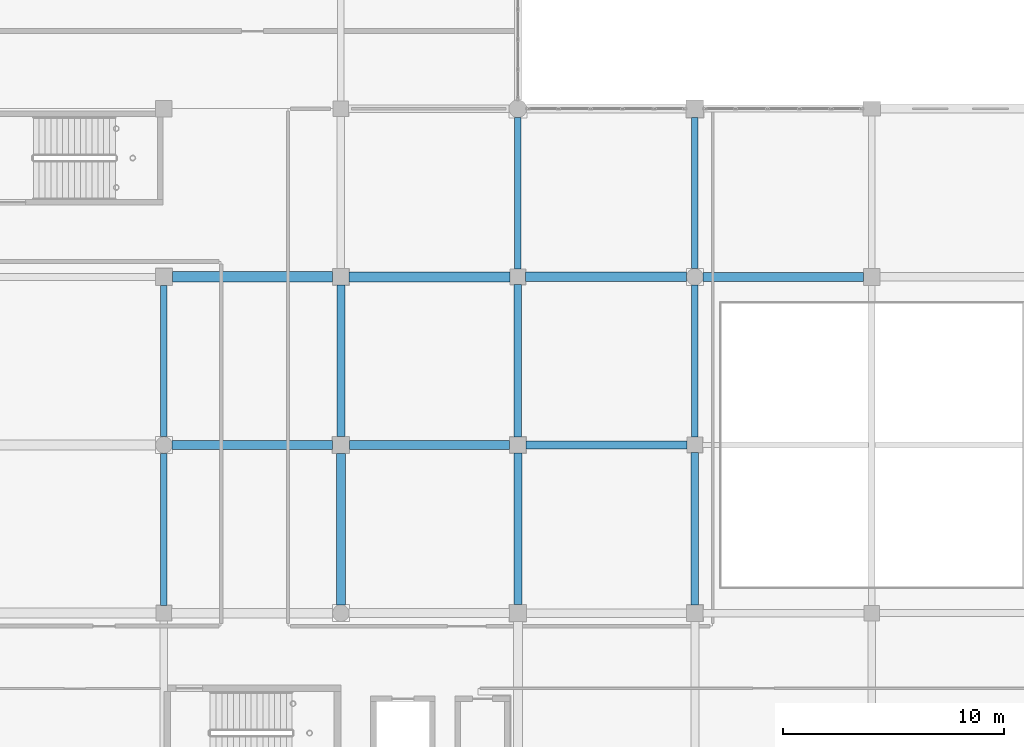
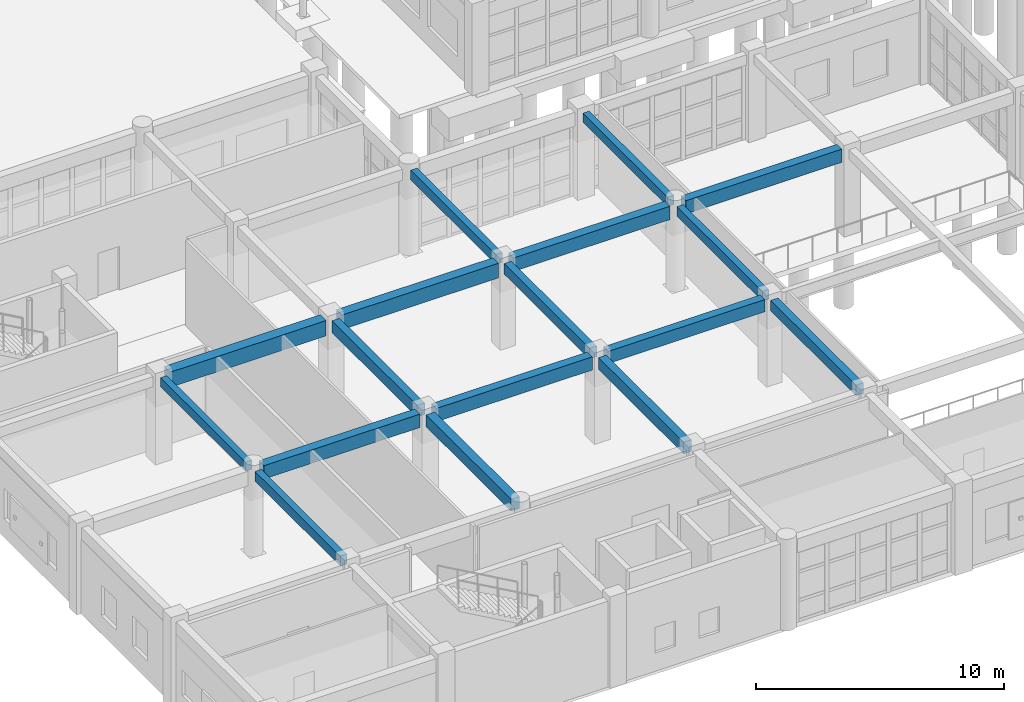
# One storey, part 79 of 166: 17 beams.
"""IFC4 building model written with IfcOpenShell, lengths in metres."""

import ifcopenshell
import ifcopenshell.guid

model = None  # the IFC model being written
_history = None  # IfcOwnerHistory: only IFC2X3 demands one
_inside = {}  # id of a spatial element -> (the spatial element, [elements in it])
_under = {}  # id of a project, library or spatial element -> (it, [spatial elements below it])
_declared = {}  # id of a project -> (the project, [libraries it declares])
_typed = {}  # id of a type object -> (the type object, [elements of that type])
_made_of = {}  # id of a material, layer set ... -> (it, [elements and type objects made of it])


def new_model(schema):
    """Start an empty IFC model of exactly this schema.

    Asked for "IFC4X3", IfcOpenShell would pick the latest addendum, in which some entities
    have other attributes; the version numbers below select the first issue.
    IFC2X3 requires an IfcOwnerHistory on every rooted entity: one is made here for all.
    """
    global model, _history
    if schema == "IFC4X3":
        model = ifcopenshell.file(schema_version=(4, 3, 0, 0))
    else:
        model = ifcopenshell.file(schema=schema)
    _inside.clear()
    _under.clear()
    _declared.clear()
    _typed.clear()
    _made_of.clear()
    _history = None
    if model.schema == "IFC2X3":
        org = make("IfcOrganization", Name="unknown")
        user = make(
            "IfcPersonAndOrganization",
            ThePerson=make("IfcPerson", FamilyName="unknown"),
            TheOrganization=org,
        )
        app = make(
            "IfcApplication",
            ApplicationDeveloper=org,
            Version="unknown",
            ApplicationFullName="unknown",
            ApplicationIdentifier="unknown",
        )
        _history = make(
            "IfcOwnerHistory",
            OwningUser=user,
            OwningApplication=app,
            ChangeAction="ADDED",
            CreationDate=0,
        )
    return model


def make(cls, **values):
    """One entity of the class cls with the attributes given. An attribute that is None is left unset."""
    return model.create_entity(
        cls, **{name: value for name, value in values.items() if value is not None}
    )


def rooted(cls, **values):
    """An entity with a GlobalId (a new one), such as an element, a storey or a relation."""
    return make(cls, GlobalId=ifcopenshell.guid.new(), OwnerHistory=_history, **values)


def si_unit(unit_type, name, prefix=None):
    """IfcSIUnit, for example si_unit("LENGTHUNIT", "METRE", prefix="MILLI")."""
    return make("IfcSIUnit", UnitType=unit_type, Prefix=prefix, Name=name)


def assignment(units):
    """IfcUnitAssignment: the units of a project."""
    return None if units is None else make("IfcUnitAssignment", Units=units)


def point(xyz):
    """IfcCartesianPoint."""
    return None if xyz is None else make("IfcCartesianPoint", Coordinates=xyz)


def direction(xyz):
    """IfcDirection."""
    return None if xyz is None else make("IfcDirection", DirectionRatios=xyz)


def frame(location, z_axis=None, x_axis=None):
    """IfcAxis2Placement3D, a coordinate frame: its origin and axes. An axis left out is left unset."""
    return make(
        "IfcAxis2Placement3D",
        Location=point(location),
        Axis=direction(z_axis),
        RefDirection=direction(x_axis),
    )


def frame_2d(location, x_axis=None):
    """IfcAxis2Placement2D, a coordinate frame in the plane: its origin and x axis."""
    return make(
        "IfcAxis2Placement2D", Location=point(location), RefDirection=direction(x_axis)
    )


def origin():
    """The frame at (0, 0, 0) with its axes left unset."""
    return frame((0.0, 0.0, 0.0))


def origin_2d():
    """The frame at (0, 0) in the plane with its x axis left unset."""
    return frame_2d((0.0, 0.0))


def place(relative_to, where):
    """IfcLocalPlacement: puts the frame where relative to a parent placement (None: the world)."""
    return make(
        "IfcLocalPlacement", PlacementRelTo=relative_to, RelativePlacement=where
    )


def context(
    kind, dimensions, precision=None, world=None, true_north=None, identifier=None
):
    """IfcGeometricRepresentationContext, for example the 3D "Model" context."""
    return make(
        "IfcGeometricRepresentationContext",
        ContextIdentifier=identifier,
        ContextType=kind,
        CoordinateSpaceDimension=dimensions,
        Precision=precision,
        WorldCoordinateSystem=world,
        TrueNorth=true_north,
    )


def subcontext(parent, identifier, kind, view, scale=None):
    """IfcGeometricRepresentationSubContext, for example "Body" below "Model"."""
    return make(
        "IfcGeometricRepresentationSubContext",
        ContextIdentifier=identifier,
        ContextType=kind,
        ParentContext=parent,
        TargetScale=scale,
        TargetView=view,
    )


def project(units=None, contexts=None):
    """IfcProject with its units and contexts."""
    return rooted(
        "IfcProject",
        Name="project",
        RepresentationContexts=contexts,
        UnitsInContext=assignment(units),
    )


def spatial(cls, under=None, at=None, **own):
    """A site, building, storey or space (cls), placed at a placement, below another one or the project."""
    s = rooted(cls, ObjectPlacement=at, **own)
    if under is not None:
        _under.setdefault(under.id(), (under, []))[1].append(s)
    return s


def profile(cls, at=None, kind="AREA", **sizes):
    """A parametric profile (cls). Its sizes go by their IFC names, for example OverallWidth=200.0."""
    return make(cls, ProfileType=kind, Position=at, **sizes)


def rectangle(**sizes):
    """IfcRectangleProfileDef."""
    return profile("IfcRectangleProfileDef", **sizes)


def extrude(swept, where, along, depth):
    """IfcExtrudedAreaSolid: the profile swept, set in the frame where, extruded along a direction by depth."""
    return make(
        "IfcExtrudedAreaSolid",
        SweptArea=swept,
        Position=where,
        ExtrudedDirection=direction(along),
        Depth=depth,
    )


def shape(context_of_items, identifier, shape_type, items):
    """IfcShapeRepresentation: the items that make up one representation, for example the "Body"."""
    return make(
        "IfcShapeRepresentation",
        ContextOfItems=context_of_items,
        RepresentationIdentifier=identifier,
        RepresentationType=shape_type,
        Items=items,
    )


def material(Name=None, Category=None):
    """IfcMaterial."""
    return make("IfcMaterial", Name=Name, Category=Category)


def material_profile(
    of_material, cross_section, Name=None, Category=None, Priority=None
):
    """IfcMaterialProfile: a cross section and its material."""
    return make(
        "IfcMaterialProfile",
        Name=Name,
        Material=of_material,
        Profile=cross_section,
        Priority=Priority,
        Category=Category,
    )


def profile_set(profiles, Name=None, composite=None):
    """IfcMaterialProfileSet."""
    return make(
        "IfcMaterialProfileSet",
        Name=Name,
        MaterialProfiles=profiles,
        CompositeProfile=composite,
    )


def made_of(thing, what):
    """Note that an element or type object is made of a material, layer set ...; save() writes the relation."""
    if what is not None:
        _made_of.setdefault(what.id(), (what, []))[1].append(thing)
    return thing


def type_object(cls, material=None, **own):
    """A type object (cls), such as IfcWallType, which elements share."""
    return made_of(rooted(cls, **own), material)


def element(
    cls,
    number,
    at=None,
    inside=None,
    cuts=None,
    type_object=None,
    material=None,
    context=None,
    identifier="Body",
    shape_type=None,
    held_by="IfcProductDefinitionShape",
    body=None,
    shapes=None,
    **own,
):
    """One element of the class cls, such as IfcWall. Its Tag is "e" and its number.

    at: its placement. inside: the storey or other place that contains it. cuts: it is an
    opening in that element (IfcRelVoidsElement). A single representation is given by context,
    identifier, shape_type and body (its items); several are given by shapes. held_by: the class
    of the entity that holds the representations. save() writes the other relations.
    """
    e = rooted(cls, Tag="e%d" % number, ObjectPlacement=at, **own)
    if body is not None:
        shapes = [shape(context, identifier, shape_type, body)]
    if shapes is not None:
        e.Representation = make(held_by, Representations=shapes)
    if inside is not None:
        _inside.setdefault(inside.id(), (inside, []))[1].append(e)
    if cuts is not None:
        rooted(
            "IfcRelVoidsElement", RelatingBuildingElement=cuts, RelatedOpeningElement=e
        )
    if type_object is not None:
        _typed.setdefault(type_object.id(), (type_object, []))[1].append(e)
    return made_of(e, material)


def aggregate(whole, parts):
    """IfcRelAggregates: a whole, such as a stair, and the parts it consists of."""
    return rooted("IfcRelAggregates", RelatingObject=whole, RelatedObjects=parts)


def save(model, path):
    """Write the relations noted so far, then the file.

    IfcRelAggregates (storeys below a building ...), IfcRelContainedInSpatialStructure (elements
    in a storey), IfcRelDefinesByType, IfcRelAssociatesMaterial and IfcRelDeclares: one each for
    every whole, place, type object, material and project.
    """
    for whole, parts in _under.values():
        aggregate(whole, parts)
    for where, things in _inside.values():
        rooted(
            "IfcRelContainedInSpatialStructure",
            RelatedElements=things,
            RelatingStructure=where,
        )
    for kind, things in _typed.values():
        rooted("IfcRelDefinesByType", RelatedObjects=things, RelatingType=kind)
    for what, things in _made_of.values():
        rooted("IfcRelAssociatesMaterial", RelatedObjects=things, RelatingMaterial=what)
    for by, libraries in _declared.values():
        rooted("IfcRelDeclares", RelatingContext=by, RelatedDefinitions=libraries)
    model.write(path)


model = new_model("IFC4")

# Units and contexts
model_context = context("Model", 3, precision=1e-05, world=origin(), true_north=direction((0.0, 1.0)))
body_context = subcontext(model_context, "Body", "Model", "MODEL_VIEW")
ifc_project = project(units=[si_unit("LENGTHUNIT", "METRE"), si_unit("AREAUNIT", "SQUARE_METRE"), si_unit("VOLUMEUNIT", "CUBIC_METRE"), si_unit("PLANEANGLEUNIT", "RADIAN"), si_unit("MASSUNIT", "GRAM", prefix="KILO")], contexts=[model_context])

# Site, building, storey
site_placement = place(None, origin())
site = spatial("IfcSite", under=ifc_project, at=site_placement, CompositionType="ELEMENT")
building_placement = place(site_placement, origin())
building = spatial("IfcBuilding", under=site, at=building_placement, Name="Kharva Crest Polytechnic", CompositionType="ELEMENT")
storey_placement = place(building_placement, origin())
storey = spatial("IfcBuildingStorey", under=building, at=storey_placement, Name="L00", CompositionType="ELEMENT", Elevation=0.0)

# Beams
ifc_material = material(Name="Concrete C35/45", Category="concrete")
ifc_material_profile_1 = material_profile(ifc_material, rectangle(XDim=0.300048828125, YDim=0.449951171875, at=origin_2d()), Name="RECT 300 X 450")
ifc_profile_set_1 = profile_set([ifc_material_profile_1], Name="Concrete C35/45")
beam_type_1 = type_object("IfcBeamType", Name="BM-RC-300X450", PredefinedType="BEAM", material=ifc_profile_set_1)
beam_1_placement = place(storey_placement, frame((128.800048828125, 15.574951171875, 3.9951171875), z_axis=(0.0, 1.0, 0.0), x_axis=(-1.0, 0.0, 0.0)))
element("IfcBeam", 1, at=beam_1_placement, inside=storey, type_object=beam_type_1, Name="L00 Girder 17/C-D", PredefinedType="BEAM", context=body_context, shape_type="SweptSolid", body=[
    extrude(rectangle(XDim=0.300048828125, YDim=0.449951171875, at=origin_2d()), origin(), (0.0, 0.0, 1.0), 6.844970703125),
])
beam_2_placement = place(storey_placement, frame((152.800048828125, 23.175048828125, 3.9951171875), z_axis=(0.0, 1.0, 0.0), x_axis=(-1.0, 0.0, 0.0)))
element("IfcBeam", 2, at=beam_2_placement, inside=storey, type_object=beam_type_1, Name="L00 Girder 20/D-E", PredefinedType="BEAM", context=body_context, shape_type="SweptSolid", body=[
    extrude(rectangle(XDim=0.300048828125, YDim=0.449951171875, at=origin_2d()), origin(), (0.0, 0.0, 1.0), 6.824951171875),
])
ifc_material_profile_2 = material_profile(ifc_material, rectangle(XDim=0.300048828125, YDim=0.47998046875, at=origin_2d()), Name="RECT 300 X 480")
ifc_profile_set_2 = profile_set([ifc_material_profile_2], Name="Concrete C35/45")
beam_type_2 = type_object("IfcBeamType", Name="BM-RC-300X480", PredefinedType="BEAM", material=ifc_profile_set_2)
beam_3_placement = place(storey_placement, frame((128.800048828125, 7.949951171875, 3.97998046875), z_axis=(0.0, 1.0, 0.0), x_axis=(-1.0, 0.0, 0.0)))
element("IfcBeam", 3, at=beam_3_placement, inside=storey, type_object=beam_type_2, Name="L00 Girder 17/B-C", PredefinedType="BEAM", context=body_context, shape_type="SweptSolid", body=[
    extrude(rectangle(XDim=0.300048828125, YDim=0.47998046875, at=origin_2d()), origin(), (0.0, 0.0, 1.0), 6.875),
])
beam_4_placement = place(storey_placement, frame((144.800048828125, 23.14990234375, 3.97998046875), z_axis=(0.0, 1.0, 0.0), x_axis=(-1.0, 0.0, 0.0)))
element("IfcBeam", 4, at=beam_4_placement, inside=storey, type_object=beam_type_2, Name="L00 Girder 19/D-E", PredefinedType="BEAM", context=body_context, shape_type="SweptSolid", body=[
    extrude(rectangle(XDim=0.300048828125, YDim=0.47998046875, at=origin_2d()), origin(), (0.0, 0.0, 1.0), 6.85009765625),
])
beam_5_placement = place(storey_placement, frame((152.800048828125, 15.550048828125, 3.97998046875), z_axis=(0.0, 1.0, 0.0), x_axis=(-1.0, 0.0, 0.0)))
element("IfcBeam", 5, at=beam_5_placement, inside=storey, type_object=beam_type_2, Name="L00 Girder 20/C-D", PredefinedType="BEAM", context=body_context, shape_type="SweptSolid", body=[
    extrude(rectangle(XDim=0.300048828125, YDim=0.47998046875, at=origin_2d()), origin(), (0.0, 0.0, 1.0), 6.875),
])
ifc_material_profile_3 = material_profile(ifc_material, rectangle(XDim=0.340087890625, YDim=0.52001953125, at=origin_2d()), Name="RECT 340 X 520")
ifc_profile_set_3 = profile_set([ifc_material_profile_3], Name="Concrete C35/45")
beam_type_3 = type_object("IfcBeamType", Name="BM-RC-340X520", PredefinedType="BEAM", material=ifc_profile_set_3)
beam_6_placement = place(storey_placement, frame((144.800048828125, 15.570068359375, 3.9599609375), z_axis=(0.0, 1.0, 0.0), x_axis=(-1.0, 0.0, 0.0)))
element("IfcBeam", 6, at=beam_6_placement, inside=storey, type_object=beam_type_3, Name="L00 Girder 19/C-D", PredefinedType="BEAM", context=body_context, shape_type="SweptSolid", body=[
    extrude(rectangle(XDim=0.340087890625, YDim=0.52001953125, at=origin_2d()), origin(), (0.0, 0.0, 1.0), 6.8798828125),
])
beam_7_placement = place(storey_placement, frame((152.800048828125, 7.969970703125, 3.9599609375), z_axis=(0.0, 1.0, 0.0), x_axis=(-1.0, 0.0, 0.0)))
element("IfcBeam", 7, at=beam_7_placement, inside=storey, type_object=beam_type_3, Name="L00 Girder 20/B-C", PredefinedType="BEAM", context=body_context, shape_type="SweptSolid", body=[
    extrude(rectangle(XDim=0.340087890625, YDim=0.52001953125, at=origin_2d()), origin(), (0.0, 0.0, 1.0), 6.880126953125),
])
ifc_material_profile_4 = material_profile(ifc_material, rectangle(XDim=0.360107421875, YDim=0.580078125, at=origin_2d()), Name="RECT 360 X 580")
ifc_profile_set_4 = profile_set([ifc_material_profile_4], Name="Concrete C35/45")
beam_type_4 = type_object("IfcBeamType", Name="BM-RC-360X580", PredefinedType="BEAM", material=ifc_profile_set_4)
beam_8_placement = place(storey_placement, frame((136.800048828125, 15.580078125, 3.929931640625), z_axis=(0.0, 1.0, 0.0), x_axis=(-1.0, 0.0, 0.0)))
element("IfcBeam", 8, at=beam_8_placement, inside=storey, type_object=beam_type_4, Name="L00 Girder 18/C-D", PredefinedType="BEAM", context=body_context, shape_type="SweptSolid", body=[
    extrude(rectangle(XDim=0.360107421875, YDim=0.580078125, at=origin_2d()), origin(), (0.0, 0.0, 1.0), 6.849853515625),
])
beam_9_placement = place(storey_placement, frame((144.800048828125, 7.97998046875, 3.929931640625), z_axis=(0.0, 1.0, 0.0), x_axis=(-1.0, 0.0, 0.0)))
element("IfcBeam", 9, at=beam_9_placement, inside=storey, type_object=beam_type_4, Name="L00 Girder 19/B-C", PredefinedType="BEAM", context=body_context, shape_type="SweptSolid", body=[
    extrude(rectangle(XDim=0.360107421875, YDim=0.580078125, at=origin_2d()), origin(), (0.0, 0.0, 1.0), 6.85009765625),
])
ifc_material_profile_5 = material_profile(ifc_material, rectangle(XDim=0.3798828125, YDim=0.60009765625, at=origin_2d()), Name="RECT 380 X 600")
ifc_profile_set_5 = profile_set([ifc_material_profile_5], Name="Concrete C35/45")
beam_type_5 = type_object("IfcBeamType", Name="BM-RC-380X600", PredefinedType="BEAM", material=ifc_profile_set_5)
beam_10_placement = place(storey_placement, frame((145.169921875, 15.199951171875, 3.919921875), z_axis=(1.0, 0.0, 0.0), x_axis=(0.0, 1.0, 0.0)))
element("IfcBeam", 10, at=beam_10_placement, inside=storey, type_object=beam_type_5, Name="L00 Beam C/19-20", PredefinedType="BEAM", context=body_context, shape_type="SweptSolid", body=[
    extrude(rectangle(XDim=0.3798828125, YDim=0.60009765625, at=origin_2d()), origin(), (0.0, 0.0, 1.0), 7.280029296875),
])
ifc_material_profile_6 = material_profile(ifc_material, rectangle(XDim=0.39990234375, YDim=0.580078125, at=origin_2d()), Name="RECT 400 X 580")
ifc_profile_set_6 = profile_set([ifc_material_profile_6], Name="Concrete C35/45")
beam_type_6 = type_object("IfcBeamType", Name="BM-RC-400X580", PredefinedType="BEAM", material=ifc_profile_set_6)
beam_11_placement = place(storey_placement, frame((136.800048828125, 7.97509765625, 3.929931640625), z_axis=(0.0, 1.0, 0.0), x_axis=(-1.0, 0.0, 0.0)))
element("IfcBeam", 11, at=beam_11_placement, inside=storey, type_object=beam_type_6, Name="L00 Girder 18/B-C", PredefinedType="BEAM", context=body_context, shape_type="SweptSolid", body=[
    extrude(rectangle(XDim=0.39990234375, YDim=0.580078125, at=origin_2d()), origin(), (0.0, 0.0, 1.0), 6.844970703125),
])
ifc_material_profile_7 = material_profile(ifc_material, rectangle(XDim=0.39990234375, YDim=0.64990234375, at=origin_2d()), Name="RECT 400 X 650")
ifc_profile_set_7 = profile_set([ifc_material_profile_7], Name="Concrete C35/45")
beam_type_7 = type_object("IfcBeamType", Name="BM-RC-400X650", PredefinedType="BEAM", material=ifc_profile_set_7)
beam_12_placement = place(storey_placement, frame((137.179931640625, 15.199951171875, 3.89501953125), z_axis=(1.0, 0.0, 0.0), x_axis=(0.0, 1.0, 0.0)))
element("IfcBeam", 12, at=beam_12_placement, inside=storey, type_object=beam_type_7, Name="L00 Beam C/18-19", PredefinedType="BEAM", context=body_context, shape_type="SweptSolid", body=[
    extrude(rectangle(XDim=0.39990234375, YDim=0.64990234375, at=origin_2d()), origin(), (0.0, 0.0, 1.0), 7.25),
])
beam_13_placement = place(storey_placement, frame((153.175048828125, 22.800048828125, 3.89501953125), z_axis=(1.0, 0.0, 0.0), x_axis=(0.0, 1.0, 0.0)))
element("IfcBeam", 13, at=beam_13_placement, inside=storey, type_object=beam_type_7, Name="L00 Beam D/20-21", PredefinedType="BEAM", context=body_context, shape_type="SweptSolid", body=[
    extrude(rectangle(XDim=0.39990234375, YDim=0.64990234375, at=origin_2d()), origin(), (0.0, 0.0, 1.0), 7.244873046875),
])
ifc_material_profile_8 = material_profile(ifc_material, rectangle(XDim=0.419921875, YDim=0.659912109375, at=origin_2d()), Name="RECT 420 X 660")
ifc_profile_set_8 = profile_set([ifc_material_profile_8], Name="Concrete C35/45")
beam_type_8 = type_object("IfcBeamType", Name="BM-RC-420X660", PredefinedType="BEAM", material=ifc_profile_set_8)
beam_14_placement = place(storey_placement, frame((129.175048828125, 15.199951171875, 3.889892578125), z_axis=(1.0, 0.0, 0.0), x_axis=(0.0, 1.0, 0.0)))
element("IfcBeam", 14, at=beam_14_placement, inside=storey, type_object=beam_type_8, Name="L00 Beam C/17-18", PredefinedType="BEAM", context=body_context, shape_type="SweptSolid", body=[
    extrude(rectangle(XDim=0.419921875, YDim=0.659912109375, at=origin_2d()), origin(), (0.0, 0.0, 1.0), 7.244873046875),
])
beam_15_placement = place(storey_placement, frame((145.14990234375, 22.800048828125, 3.889892578125), z_axis=(1.0, 0.0, 0.0), x_axis=(0.0, 1.0, 0.0)))
element("IfcBeam", 15, at=beam_15_placement, inside=storey, type_object=beam_type_8, Name="L00 Beam D/19-20", PredefinedType="BEAM", context=body_context, shape_type="SweptSolid", body=[
    extrude(rectangle(XDim=0.419921875, YDim=0.659912109375, at=origin_2d()), origin(), (0.0, 0.0, 1.0), 7.275146484375),
])
ifc_material_profile_9 = material_profile(ifc_material, rectangle(XDim=0.449951171875, YDim=0.719970703125, at=origin_2d()), Name="RECT 450 X 720")
ifc_profile_set_9 = profile_set([ifc_material_profile_9], Name="Concrete C35/45")
beam_type_9 = type_object("IfcBeamType", Name="BM-RC-450X720", PredefinedType="BEAM", material=ifc_profile_set_9)
beam_16_placement = place(storey_placement, frame((137.169921875, 22.800048828125, 3.860107421875), z_axis=(1.0, 0.0, 0.0), x_axis=(0.0, 1.0, 0.0)))
element("IfcBeam", 16, at=beam_16_placement, inside=storey, type_object=beam_type_9, Name="L00 Beam D/18-19", PredefinedType="BEAM", context=body_context, shape_type="SweptSolid", body=[
    extrude(rectangle(XDim=0.449951171875, YDim=0.719970703125, at=origin_2d()), origin(), (0.0, 0.0, 1.0), 7.280029296875),
])
ifc_material_profile_10 = material_profile(ifc_material, rectangle(XDim=0.47998046875, YDim=0.75, at=origin_2d()), Name="RECT 480 X 750")
ifc_profile_set_10 = profile_set([ifc_material_profile_10], Name="Concrete C35/45")
beam_type_10 = type_object("IfcBeamType", Name="BM-RC-480X750", PredefinedType="BEAM", material=ifc_profile_set_10)
beam_17_placement = place(storey_placement, frame((129.179931640625, 22.800048828125, 3.844970703125), z_axis=(1.0, 0.0, 0.0), x_axis=(0.0, 1.0, 0.0)))
element("IfcBeam", 17, at=beam_17_placement, inside=storey, type_object=beam_type_10, Name="L00 Beam D/17-18", PredefinedType="BEAM", context=body_context, shape_type="SweptSolid", body=[
    extrude(rectangle(XDim=0.47998046875, YDim=0.75, at=origin_2d()), origin(), (0.0, 0.0, 1.0), 7.25),
])

save(model, "model.ifc")
